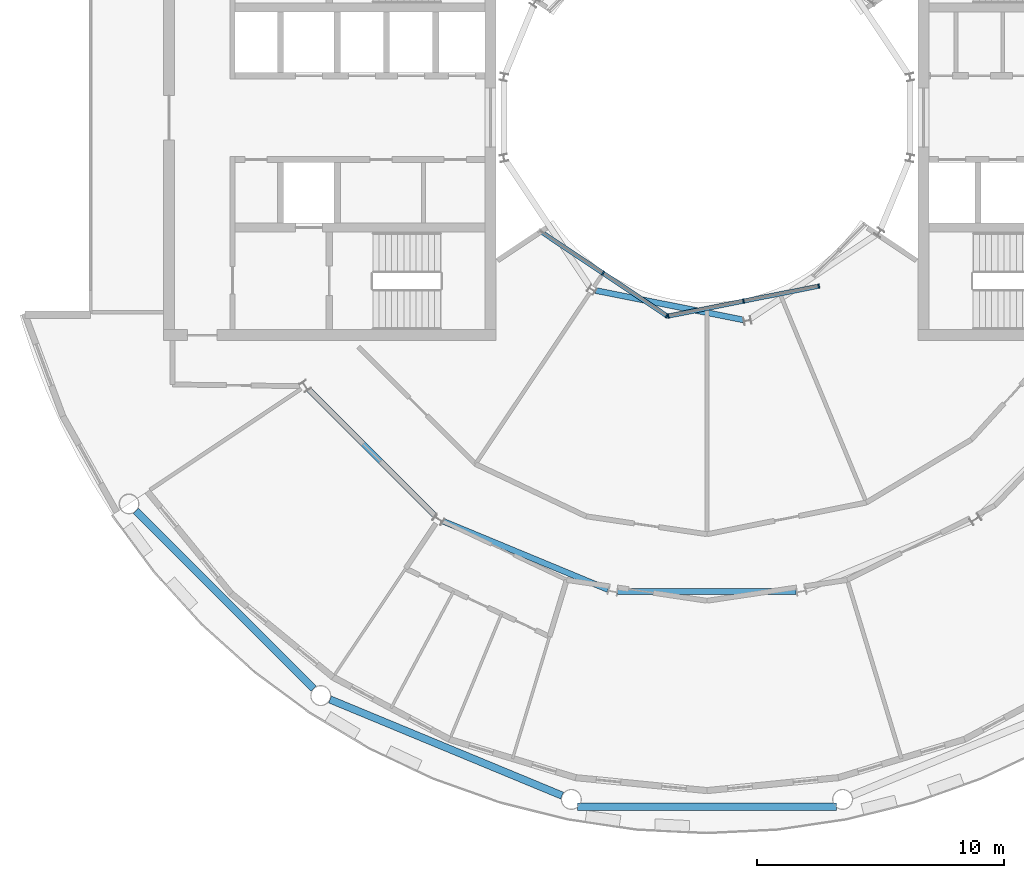
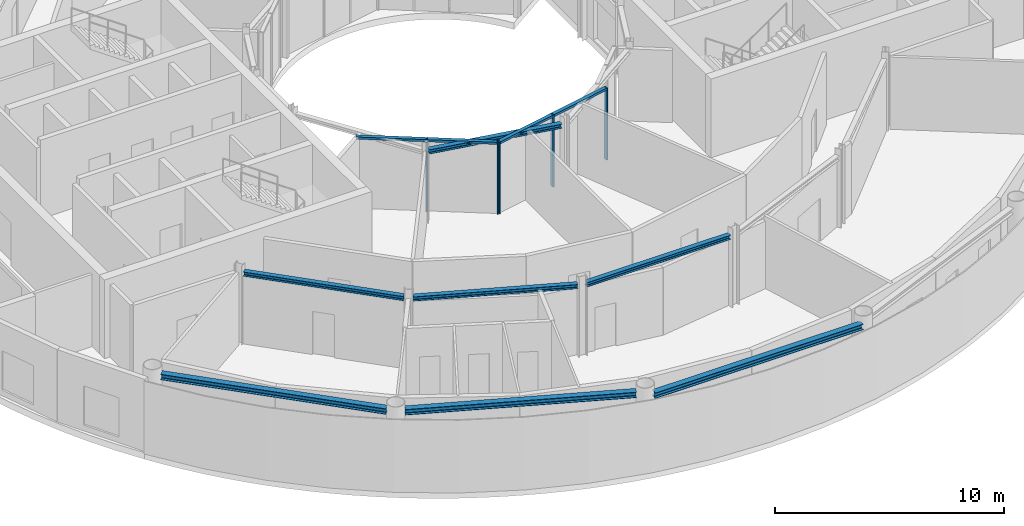
# One storey, part 6 of 22: 9 members, 7 beams, 2 elements without a shape of their own.
"""IFC4 building model written with IfcOpenShell, lengths in metres."""

from ifc_helpers import new_model, si_unit, direction, frame, origin, origin_2d, place, context, subcontext, project, spatial, rectangle, i_section, extrude, material, layer, layer_set, material_profile, profile_set, type_object, element, aggregate, save


model = new_model("IFC4")

# Units and contexts
model_context = context("Model", 3, precision=1e-05, world=origin(), true_north=direction((0.0, 1.0)))
body_context = subcontext(model_context, "Body", "Model", "MODEL_VIEW")
ifc_project = project(units=[si_unit("LENGTHUNIT", "METRE"), si_unit("AREAUNIT", "SQUARE_METRE"), si_unit("VOLUMEUNIT", "CUBIC_METRE"), si_unit("PLANEANGLEUNIT", "RADIAN"), si_unit("MASSUNIT", "GRAM", prefix="KILO")], contexts=[model_context])

# Site, building, storey
site_placement = place(None, origin())
site = spatial("IfcSite", under=ifc_project, at=site_placement, CompositionType="ELEMENT")
building_placement = place(site_placement, origin())
building = spatial("IfcBuilding", under=site, at=building_placement, Name="Maasbend Ring Residences", CompositionType="ELEMENT")
storey_placement = place(building_placement, frame((0.0, 0.0, 208.5)))
storey = spatial("IfcBuildingStorey", under=building, at=storey_placement, Name="L60", CompositionType="ELEMENT", Elevation=208.5)

# Curtain wall, members
ifc_material_1 = material(Name="Aluminium and clear glass", Category="aluminium")
ifc_layer = layer(ifc_material_1, 0.179931640625)
ifc_layer_set = layer_set([ifc_layer], Name="CW-W")
curtain_wall_type = type_object("IfcCurtainWallType", Name="CW-W", PredefinedType="NOTDEFINED", material=ifc_layer_set)
curtain_wall_1_placement = place(storey_placement, origin())
curtain_wall_1 = element("IfcCurtainWall", 1, at=curtain_wall_1_placement, inside=storey, type_object=curtain_wall_type, Name="Well curtain wall S1", PredefinedType="NOTDEFINED")
ifc_material_2 = material(Name="Aluminium 6063-T6", Category="aluminium")
ifc_material_profile_1 = material_profile(ifc_material_2, rectangle(XDim=0.179931640625, YDim=0.06005859375, at=origin_2d()), Name="AL 180x60")
ifc_profile_set_1 = profile_set([ifc_material_profile_1], Name="Aluminium 6063-T6")
member_type_1 = type_object("IfcMemberType", Name="CWM-W", PredefinedType="MULLION", material=ifc_profile_set_1)
member_1_placement = place(storey_placement, frame((-4.216796875, -6.310791015625, 0.0), z_axis=(0.0, 0.0, 1.0), x_axis=(0.55557023302, 0.831469612303, 0.0)))
member_1 = element("IfcMember", 2, at=member_1_placement, type_object=member_type_1, Name="Mullion well face", PredefinedType="MULLION", context=body_context, shape_type="SweptSolid", body=[
    extrude(rectangle(XDim=0.179931640625, YDim=0.06005859375, at=origin_2d()), origin(), (0.0, 0.0, 1.0), 3.85009765625),
])
member_2_placement = place(storey_placement, frame((-1.627685546875, -8.040771484375, 0.0), z_axis=(0.0, 0.0, 1.0), x_axis=(0.55557023302, 0.831469612303, 0.0)))
member_2 = element("IfcMember", 3, at=member_2_placement, type_object=member_type_1, Name="Mullion well face", PredefinedType="MULLION", context=body_context, shape_type="SweptSolid", body=[
    extrude(rectangle(XDim=0.179931640625, YDim=0.06005859375, at=origin_2d()), origin(), (0.0, 0.0, 1.0), 3.85009765625),
])

curtain_wall_2_placement = place(storey_placement, origin())
curtain_wall_2 = element("IfcCurtainWall", 4, at=curtain_wall_2_placement, inside=storey, type_object=curtain_wall_type, Name="Well curtain wall S2", PredefinedType="NOTDEFINED")
member_3_placement = place(storey_placement, frame((-1.5732421875, -8.0517578125, 0.0), z_axis=(0.0, 0.0, 1.0), x_axis=(-0.195090322016, 0.980785280403, 0.0)))
member_3 = element("IfcMember", 5, at=member_3_placement, type_object=member_type_1, Name="Mullion well face", PredefinedType="MULLION", context=body_context, shape_type="SweptSolid", body=[
    extrude(rectangle(XDim=0.179931640625, YDim=0.06005859375, at=origin_2d()), origin(), (0.0, 0.0, 1.0), 3.85009765625),
])
member_4_placement = place(storey_placement, frame((1.480712890625, -7.444091796875, 0.0), z_axis=(0.0, 0.0, 1.0), x_axis=(-0.195090322016, 0.980785280403, 0.0)))
member_4 = element("IfcMember", 6, at=member_4_placement, type_object=member_type_1, Name="Mullion well face", PredefinedType="MULLION", context=body_context, shape_type="SweptSolid", body=[
    extrude(rectangle(XDim=0.179931640625, YDim=0.06005859375, at=origin_2d()), origin(), (0.0, 0.0, 1.0), 3.85009765625),
])
member_5_placement = place(storey_placement, frame((4.53466796875, -6.836669921875, 0.0), z_axis=(0.0, 0.0, 1.0), x_axis=(-0.195090322016, 0.980785280403, 0.0)))
member_5 = element("IfcMember", 7, at=member_5_placement, type_object=member_type_1, Name="Mullion well face", PredefinedType="MULLION", context=body_context, shape_type="SweptSolid", body=[
    extrude(rectangle(XDim=0.179931640625, YDim=0.06005859375, at=origin_2d()), origin(), (0.0, 0.0, 1.0), 3.85009765625),
])

# Member
ifc_material_3 = material(Name="Aluminium 6063-T6", Category="aluminium")
ifc_material_profile_2 = material_profile(ifc_material_3, rectangle(XDim=0.179931640625, YDim=0.1201171875, at=origin_2d()), Name="AL 180x120")
ifc_profile_set_2 = profile_set([ifc_material_profile_2], Name="Aluminium 6063-T6")
member_type_2 = type_object("IfcMemberType", Name="CWT-W", PredefinedType="USERDEFINED", material=ifc_profile_set_2)
member_6_placement = place(storey_placement, frame((-6.781005859375, -4.59765625, 3.7900390625), z_axis=(0.831496422459, -0.555530106689, 0.0), x_axis=(0.555530106689, 0.831496422459, 0.0)))
member_6 = element("IfcMember", 8, at=member_6_placement, type_object=member_type_2, Name="Transom well face", ObjectType="TRANSOM", PredefinedType="USERDEFINED", context=body_context, shape_type="SweptSolid", body=[
    extrude(rectangle(XDim=0.179931640625, YDim=0.1201171875, at=origin_2d()), origin(), (0.0, 0.0, 1.0), 3.053955078125),
])

member_7_placement = place(storey_placement, frame((-4.19189453125, -6.32763671875, 3.7900390625), z_axis=(0.831496422459, -0.555530106689, 0.0), x_axis=(0.555530106689, 0.831496422459, 0.0)))
member_7 = element("IfcMember", 9, at=member_7_placement, type_object=member_type_2, Name="Transom well face", ObjectType="TRANSOM", PredefinedType="USERDEFINED", context=body_context, shape_type="SweptSolid", body=[
    extrude(rectangle(XDim=0.179931640625, YDim=0.1201171875, at=origin_2d()), origin(), (0.0, 0.0, 1.0), 3.053955078125),
])

aggregate(curtain_wall_1, [member_1, member_2, member_6, member_7])

member_8_placement = place(storey_placement, frame((-1.5439453125, -8.0458984375, 3.7900390625), z_axis=(0.980776956105, 0.195132166424, 0.0), x_axis=(-0.195132166424, 0.980776956105, 0.0)))
member_8 = element("IfcMember", 10, at=member_8_placement, type_object=member_type_2, Name="Transom well face", ObjectType="TRANSOM", PredefinedType="USERDEFINED", context=body_context, shape_type="SweptSolid", body=[
    extrude(rectangle(XDim=0.179931640625, YDim=0.1201171875, at=origin_2d()), origin(), (0.0, 0.0, 1.0), 3.053955078125),
])

member_9_placement = place(storey_placement, frame((1.51025390625, -7.438232421875, 3.7900390625), z_axis=(0.980789210404, 0.19507056353, 0.0), x_axis=(-0.19507056353, 0.980789210404, 0.0)))
member_9 = element("IfcMember", 11, at=member_9_placement, type_object=member_type_2, Name="Transom well face", ObjectType="TRANSOM", PredefinedType="USERDEFINED", context=body_context, shape_type="SweptSolid", body=[
    extrude(rectangle(XDim=0.179931640625, YDim=0.1201171875, at=origin_2d()), origin(), (0.0, 0.0, 1.0), 3.0537109375),
])

aggregate(curtain_wall_2, [member_3, member_4, member_5, member_8, member_9])

# Beams
ifc_material_4 = material(Name="Steel S355J2", Category="steel")
ifc_material_profile_3 = material_profile(ifc_material_4, i_section(OverallWidth=0.239990234375, OverallDepth=0.22998046875, WebThickness=0.007568359375, FlangeThickness=0.011962890625, FilletRadius=0.02099609375, at=origin_2d()), Name="HEA 240")
ifc_profile_set_3 = profile_set([ifc_material_profile_3], Name="Steel S355J2")
beam_type_1 = type_object("IfcBeamType", Name="Corridor ring beam HEA 240", PredefinedType="BEAM", material=ifc_profile_set_3)
beam_1_placement = place(storey_placement, frame((-16.152587890625, -11.033447265625, 3.735107421875), z_axis=(0.707106781187, -0.707106781187, 0.0), x_axis=(0.707106781187, 0.707106781187, 0.0)))
element("IfcBeam", 12, at=beam_1_placement, inside=storey, type_object=beam_type_1, Name="Corridor ring beam", PredefinedType="BEAM", context=body_context, shape_type="SweptSolid", body=[
    extrude(i_section(OverallWidth=0.239990234375, OverallDepth=0.22998046875, WebThickness=0.007568359375, FlangeThickness=0.011962890625, FilletRadius=0.02099609375, at=origin_2d()), origin(), (0.0, 0.0, 1.0), 7.239501953125),
])
for number, where, z_axis, x_axis, name in (
    (13, (-10.70068359375, -16.374755859375, 3.735107421875), (0.923865162022, -0.382718123952, 0.0), (0.382718123952, 0.923865162022, 0.0), "Corridor ring beam"),
    (14, (-3.619873046875, -19.223388671875, 3.735107421875), (1.0, 0.0, 0.0), (0.0, 1.0, 0.0), "Corridor ring beam"),
):
    element("IfcBeam", number, at=place(storey_placement, frame(where, z_axis=z_axis, x_axis=x_axis)), inside=storey, type_object=beam_type_1, Name=name, PredefinedType="BEAM", context=body_context, shape_type="SweptSolid", body=[
        extrude(i_section(OverallWidth=0.239990234375, OverallDepth=0.22998046875, WebThickness=0.007568359375, FlangeThickness=0.011962890625, FilletRadius=0.02099609375, at=origin_2d()), origin(), (0.0, 0.0, 1.0), 7.23974609375),
    ])
ifc_material_5 = material(Name="Steel S355J2", Category="steel")
ifc_material_profile_4 = material_profile(ifc_material_5, i_section(OverallWidth=0.300048828125, OverallDepth=0.300048828125, WebThickness=0.010986328125, FlangeThickness=0.01904296875, FilletRadius=0.027099609375, at=origin_2d()), Name="HEB 300")
ifc_profile_set_4 = profile_set([ifc_material_profile_4], Name="Steel S355J2")
beam_type_2 = type_object("IfcBeamType", Name="Spandrel ring beam HEB 300", PredefinedType="SPANDREL", material=ifc_profile_set_4)
for number, where, z_axis, x_axis, name in (
    (15, (-23.159912109375, -15.95458984375, 3.699951171875), (0.707106781187, -0.707106781187, 0.0), (0.707106781187, 0.707106781187, 0.0), "Spandrel ring beam"),
    (16, (-15.29150390625, -23.60302734375, 3.699951171875), (0.923883676188, -0.382673428492, 0.0), (0.382673428492, 0.923883676188, 0.0), "Spandrel ring beam"),
):
    element("IfcBeam", number, at=place(storey_placement, frame(where, z_axis=z_axis, x_axis=x_axis)), inside=storey, type_object=beam_type_2, Name=name, PredefinedType="SPANDREL", context=body_context, shape_type="SweptSolid", body=[
        extrude(i_section(OverallWidth=0.300048828125, OverallDepth=0.300048828125, WebThickness=0.010986328125, FlangeThickness=0.01904296875, FilletRadius=0.027099609375, at=origin_2d()), origin(), (0.0, 0.0, 1.0), 10.18994140625),
    ])
beam_2_placement = place(storey_placement, frame((-5.2451171875, -27.9580078125, 3.699951171875), z_axis=(1.0, 0.0, 0.0), x_axis=(0.0, 1.0, 0.0)))
element("IfcBeam", 17, at=beam_2_placement, inside=storey, type_object=beam_type_2, Name="Spandrel ring beam", PredefinedType="SPANDREL", context=body_context, shape_type="SweptSolid", body=[
    extrude(i_section(OverallWidth=0.300048828125, OverallDepth=0.300048828125, WebThickness=0.010986328125, FlangeThickness=0.01904296875, FilletRadius=0.027099609375, at=origin_2d()), origin(), (0.0, 0.0, 1.0), 10.490234375),
])
ifc_material_6 = material(Name="Steel S355J2", Category="steel")
ifc_material_profile_5 = material_profile(ifc_material_6, i_section(OverallWidth=0.239990234375, OverallDepth=0.22998046875, WebThickness=0.007568359375, FlangeThickness=0.011962890625, FilletRadius=0.02099609375, at=origin_2d()), Name="HEA 240")
ifc_profile_set_5 = profile_set([ifc_material_profile_5], Name="Steel S355J2")
beam_type_3 = type_object("IfcBeamType", Name="Well edge beam HEA 240", PredefinedType="BEAM", material=ifc_profile_set_5)
beam_3_placement = place(storey_placement, frame((-4.512939453125, -7.014892578125, 3.735107421875), z_axis=(0.980782836869, -0.195102606089, 0.0), x_axis=(0.195102606089, 0.980782836869, 0.0)))
element("IfcBeam", 18, at=beam_3_placement, inside=storey, type_object=beam_type_3, Name="Well edge beam", PredefinedType="BEAM", context=body_context, shape_type="SweptSolid", body=[
    extrude(i_section(OverallWidth=0.239990234375, OverallDepth=0.22998046875, WebThickness=0.007568359375, FlangeThickness=0.011962890625, FilletRadius=0.02099609375, at=origin_2d()), origin(), (0.0, 0.0, 1.0), 6.115234375),
])

save(model, "model.ifc")
